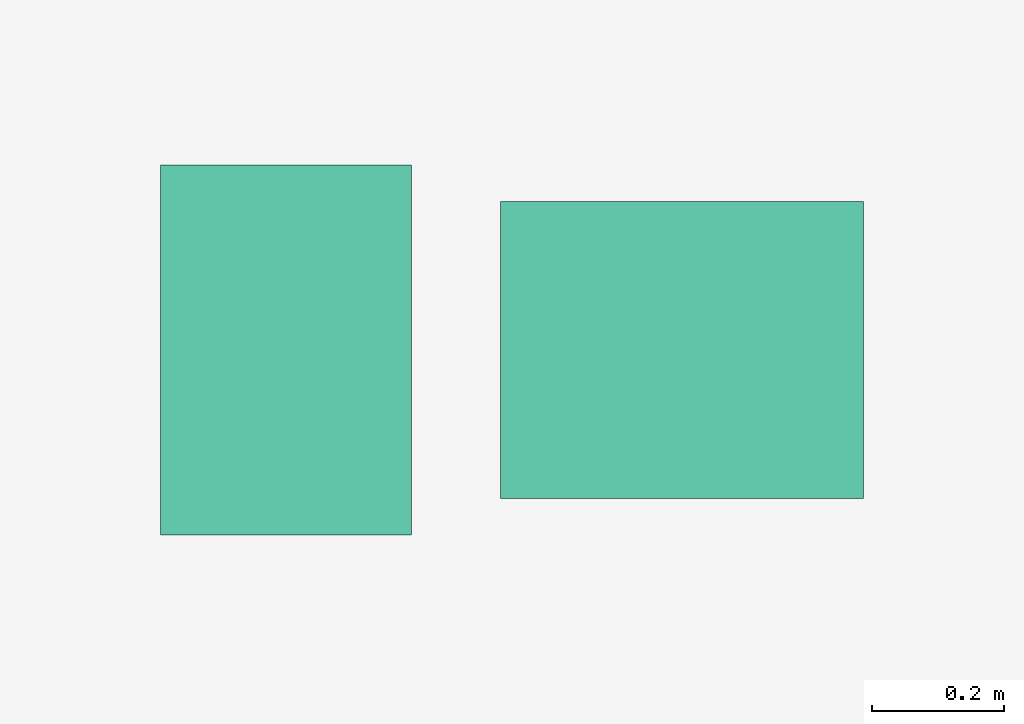
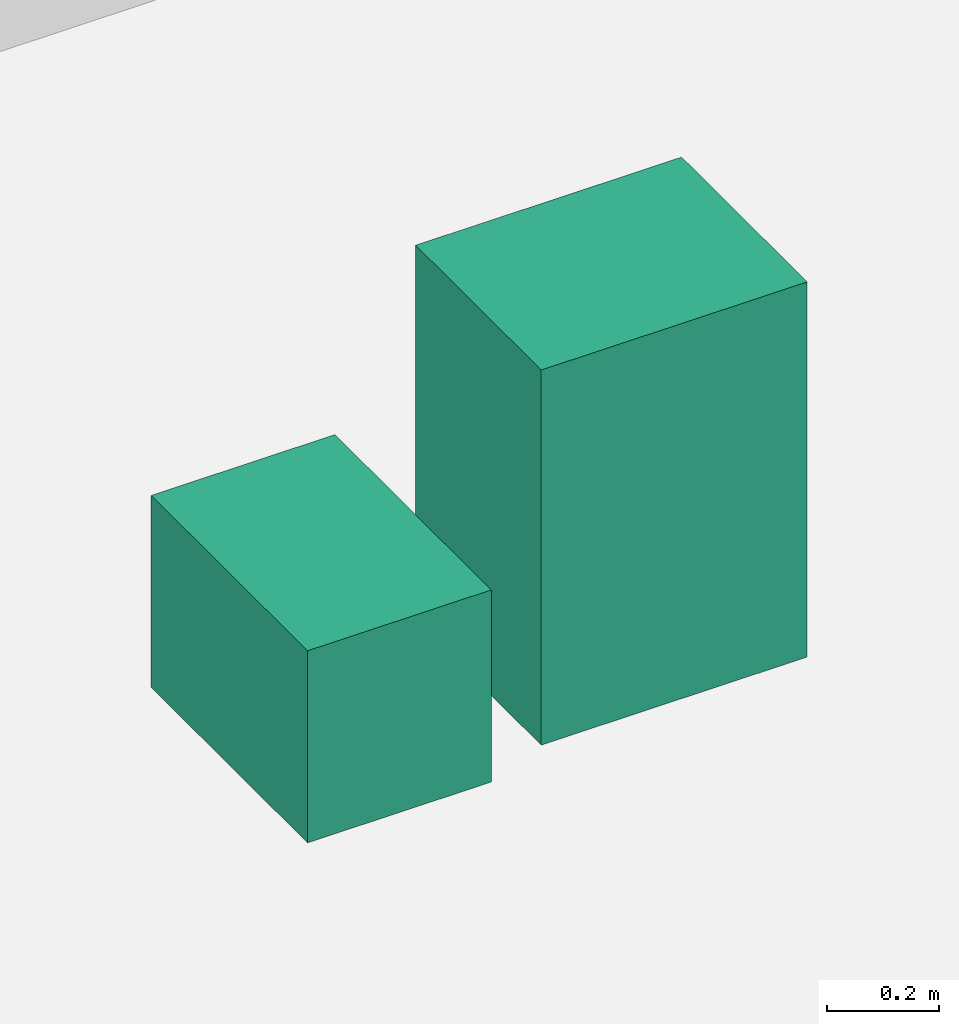
# One storey, part 17 of 18: 2 sanitary terminals.
"""IFC4 building model written with IfcOpenShell, lengths in metres."""

from ifc_helpers import new_model, si_unit, direction, frame, origin, origin_2d, place, context, subcontext, project, spatial, rectangle, extrude, source, transform, mapped, material, type_object, type_shapes, element, save


model = new_model("IFC4")

# Units and contexts
model_context = context("Model", 3, precision=1e-05, world=origin(), true_north=direction((0.0, 1.0)))
body_context = subcontext(model_context, "Body", "Model", "MODEL_VIEW")
ifc_project = project(units=[si_unit("LENGTHUNIT", "METRE"), si_unit("AREAUNIT", "SQUARE_METRE"), si_unit("VOLUMEUNIT", "CUBIC_METRE"), si_unit("PLANEANGLEUNIT", "RADIAN"), si_unit("MASSUNIT", "GRAM", prefix="KILO")], contexts=[model_context])

# Site, building, storey
site_placement = place(None, origin())
site = spatial("IfcSite", under=ifc_project, at=site_placement, CompositionType="ELEMENT")
building_placement = place(site_placement, origin())
building = spatial("IfcBuilding", under=site, at=building_placement, Name="Seokmaru Belvedere", CompositionType="ELEMENT")
storey_placement = place(building_placement, frame((0.0, 0.0, -4.800048828125)))
storey = spatial("IfcBuildingStorey", under=building, at=storey_placement, Name="B1", CompositionType="ELEMENT", Elevation=-4.800048828125)

# Sanitary terminals
ifc_material = material(Name="Vitreous China Sanitaryware")
sanitary_terminal_type_1 = type_object("IfcSanitaryTerminalType", Name="Wall-Hung Vitreous China WC Pan", PredefinedType="TOILETPAN", material=ifc_material)
shared_shape_1 = source(origin(), body_context, "Body", "SweptSolid", [
    extrude(rectangle(XDim=0.3798828125, YDim=0.56005859375, at=origin_2d()), origin(), (0.0, 0.0, 1.0), 0.419921875),
])
type_shapes(sanitary_terminal_type_1, [shared_shape_1])
sanitary_terminal_1_placement = place(storey_placement, frame((19.949951171875, 3.60009765625, 0.0), z_axis=(0.0, 0.0, 1.0), x_axis=(1.0, 0.0, 0.0)))
element("IfcSanitaryTerminal", 1, at=sanitary_terminal_1_placement, inside=storey, type_object=sanitary_terminal_type_1, Name="B1 Vitreous China WC 0002", PredefinedType="TOILETPAN", context=body_context, shape_type="MappedRepresentation", body=[
    mapped(shared_shape_1, transform((0.0, 0.0, 0.0), scale=1.0)),
])
sanitary_terminal_type_2 = type_object("IfcSanitaryTerminalType", Name="Countertop Ceramic Washhand Basin", PredefinedType="WASHHANDBASIN", material=ifc_material)
shared_shape_2 = source(origin(), body_context, "Body", "SweptSolid", [
    extrude(rectangle(XDim=0.550048828125, YDim=0.449951171875, at=origin_2d()), origin(), (0.0, 0.0, 1.0), 0.820068359375),
])
type_shapes(sanitary_terminal_type_2, [shared_shape_2])
sanitary_terminal_2_placement = place(storey_placement, frame((20.550048828125, 3.60009765625, 0.0), z_axis=(0.0, 0.0, 1.0), x_axis=(1.0, 0.0, 0.0)))
element("IfcSanitaryTerminal", 2, at=sanitary_terminal_2_placement, inside=storey, type_object=sanitary_terminal_type_2, Name="B1 Ceramic Washhand Basin 0002", PredefinedType="WASHHANDBASIN", context=body_context, shape_type="MappedRepresentation", body=[
    mapped(shared_shape_2, transform((0.0, 0.0, 0.0), scale=1.0)),
])

save(model, "model.ifc")
